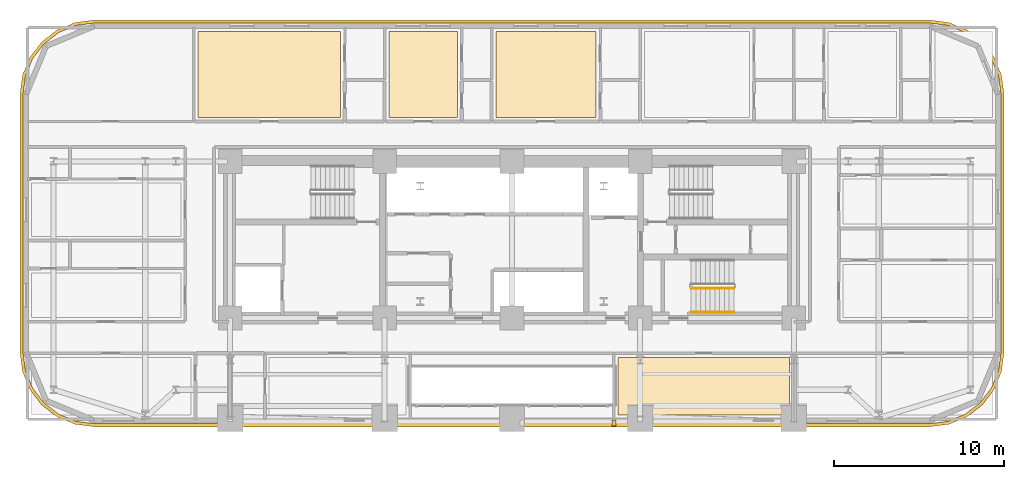
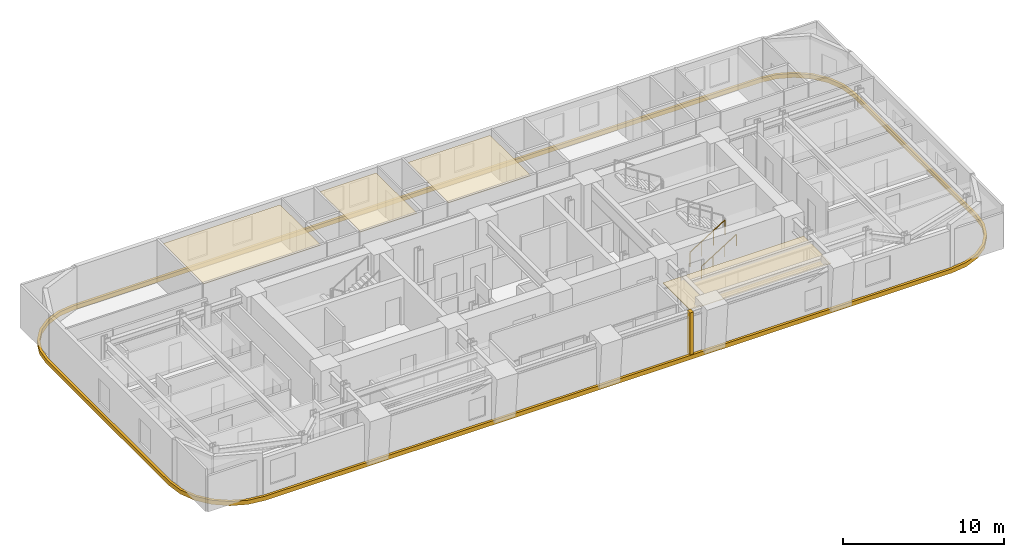
# One storey, part 15 of 16: 6 coverings, 2 railings.
"""IFC4 building model written with IfcOpenShell, lengths in metres."""

from ifc_helpers import new_model, si_unit, direction, frame, origin, origin_2d, place, context, subcontext, project, spatial, polyline, rectangle, outline, extrude, material, layer, layer_set, type_object, element, save


model = new_model("IFC4")

# Units and contexts
model_context = context("Model", 3, precision=1e-05, world=origin(), true_north=direction((0.0, 1.0)))
body_context = subcontext(model_context, "Body", "Model", "MODEL_VIEW")
ifc_project = project(units=[si_unit("LENGTHUNIT", "METRE"), si_unit("AREAUNIT", "SQUARE_METRE"), si_unit("VOLUMEUNIT", "CUBIC_METRE"), si_unit("PLANEANGLEUNIT", "RADIAN"), si_unit("MASSUNIT", "GRAM", prefix="KILO")], contexts=[model_context])

# Site, building, storey
site_placement = place(None, origin())
site = spatial("IfcSite", under=ifc_project, at=site_placement, CompositionType="ELEMENT")
building_placement = place(site_placement, origin())
building = spatial("IfcBuilding", under=site, at=building_placement, Name="Zarnavel Station Tower", CompositionType="ELEMENT")
storey_placement = place(building_placement, frame((0.0, 0.0, 46.5)))
storey = spatial("IfcBuildingStorey", under=building, at=storey_placement, Name="L12", CompositionType="ELEMENT", Elevation=46.5)

# Coverings
ifc_material_1 = material(Name="Perforated Gypsum and Mineral-Wool Acoustic Ceiling", Category="concrete")
ifc_layer = layer(ifc_material_1, 0.0400390625)
ifc_layer_set = layer_set([ifc_layer], Name="COV_CEIL_ACOUSTIC")
covering_type_1 = type_object("IfcCoveringType", Name="COV_CEIL_ACOUSTIC", PredefinedType="CEILING", material=ifc_layer_set)
covering_1_placement = place(storey_placement, frame((0.0, 0.0, 2.919921875)))
element("IfcCovering", 1, at=covering_1_placement, inside=storey, type_object=covering_type_1, Name="L12 HN1R Acoustic Ceiling", PredefinedType="CEILING", context=body_context, shape_type="SweptSolid", body=[
    extrude(outline(polyline([(10.31005859375, 39.64990234375), (18.699951171875, 39.64990234375), (18.699951171875, 44.68994140625), (10.31005859375, 44.68994140625), (10.31005859375, 39.64990234375)])), origin(), (0.0, 0.0, 1.0), 0.0400390625),
])
covering_2_placement = place(storey_placement, frame((0.0, 0.0, 2.919921875)))
element("IfcCovering", 2, at=covering_2_placement, inside=storey, type_object=covering_type_1, Name="L12 HN2R Acoustic Ceiling", PredefinedType="CEILING", context=body_context, shape_type="SweptSolid", body=[
    extrude(outline(polyline([(21.550048828125, 39.64990234375), (25.589111328125, 39.64990234375), (25.589111328125, 44.68994140625), (21.550048828125, 44.68994140625), (21.550048828125, 39.64990234375)])), origin(), (0.0, 0.0, 1.0), 0.0400390625),
])
covering_3_placement = place(storey_placement, frame((0.0, 0.0, 2.919921875)))
element("IfcCovering", 3, at=covering_3_placement, inside=storey, type_object=covering_type_1, Name="L12 HN3R Acoustic Ceiling", PredefinedType="CEILING", context=body_context, shape_type="SweptSolid", body=[
    extrude(outline(polyline([(27.85400390625, 39.64990234375), (33.75, 39.64990234375), (33.75, 44.68994140625), (27.85400390625, 44.68994140625), (27.85400390625, 39.64990234375)])), origin(), (0.0, 0.0, 1.0), 0.0400390625),
])
covering_4_placement = place(storey_placement, frame((0.0, 0.0, 2.919921875)))
element("IfcCovering", 4, at=covering_4_placement, inside=storey, type_object=covering_type_1, Name="L12 Z1CNF Acoustic Ceiling", PredefinedType="CEILING", context=body_context, shape_type="SweptSolid", body=[
    extrude(outline(polyline([(35.050048828125, 22.110107421875), (45.14990234375, 22.110107421875), (45.14990234375, 25.5), (35.050048828125, 25.5), (35.050048828125, 22.110107421875)])), origin(), (0.0, 0.0, 1.0), 0.0400390625),
])
ifc_material_2 = material(Name="Precast concrete C45/55 (Pale Travertine Slab Band)", Category="masonry")
covering_type_2 = type_object("IfcCoveringType", Name="COV_TRAVERTINE_BAND", PredefinedType="CLADDING", material=ifc_material_2)
covering_5_placement = place(storey_placement, frame((0.0, 0.0, -0.260009765625)))
element("IfcCovering", 5, at=covering_5_placement, inside=storey, type_object=covering_type_2, Name="L12 Pale Travertine Slab-Edge Band", PredefinedType="CLADDING", context=body_context, shape_type="SweptSolid", body=[
    extrude(outline(polyline([(53.39990234375, 21.419921875), (54.53369140625, 21.569091796875), (55.590087890625, 22.0068359375), (56.4970703125, 22.702880859375), (57.193115234375, 23.610107421875), (57.630859375, 24.66650390625), (57.780029296875, 25.800048828125), (57.780029296875, 41.0), (57.630859375, 42.133544921875), (57.193115234375, 43.18994140625), (56.4970703125, 44.09716796875), (55.590087890625, 44.793212890625), (54.53369140625, 45.230712890625), (53.39990234375, 45.3798828125), (4.199951171875, 45.3798828125), (3.06640625, 45.230712890625), (2.010009765625, 44.793212890625), (1.102783203125, 44.09716796875), (0.40673828125, 43.18994140625), (-0.03076171875, 42.133544921875), (-0.179931640625, 41.0), (-0.179931640625, 25.800048828125), (-0.03076171875, 24.66650390625), (0.40673828125, 23.610107421875), (1.102783203125, 22.702880859375), (2.010009765625, 22.0068359375), (3.06640625, 21.569091796875), (4.199951171875, 21.419921875), (53.39990234375, 21.419921875)]), holes=[polyline([(53.39990234375, 21.60009765625), (54.487060546875, 21.7431640625), (55.5, 22.16259765625), (56.369873046875, 22.830078125), (57.037353515625, 23.699951171875), (57.456787109375, 24.712890625), (57.60009765625, 25.800048828125), (57.60009765625, 41.0), (57.456787109375, 42.0869140625), (57.037353515625, 43.10009765625), (56.369873046875, 43.9697265625), (55.5, 44.63720703125), (54.487060546875, 45.056884765625), (53.39990234375, 45.199951171875), (4.199951171875, 45.199951171875), (3.113037109375, 45.056884765625), (2.10009765625, 44.63720703125), (1.230224609375, 43.9697265625), (0.562744140625, 43.10009765625), (0.14306640625, 42.0869140625), (0.0, 41.0), (0.0, 25.800048828125), (0.14306640625, 24.712890625), (0.562744140625, 23.699951171875), (1.230224609375, 22.830078125), (2.10009765625, 22.16259765625), (3.113037109375, 21.7431640625), (4.199951171875, 21.60009765625), (53.39990234375, 21.60009765625)])]), origin(), (0.0, 0.0, 1.0), 0.320068359375),
])
covering_6_placement = place(storey_placement, frame((34.800048828125, 21.64990234375, 0.0), z_axis=(0.0, 0.0, 1.0), x_axis=(1.0, 0.0, 0.0)))
element("IfcCovering", 6, at=covering_6_placement, inside=storey, type_object=covering_type_2, Name="L12 Travertine Portal Loggia Vertical Jog East", PredefinedType="CLADDING", context=body_context, shape_type="SweptSolid", body=[
    extrude(rectangle(XDim=0.239990234375, YDim=0.360107421875, at=origin_2d()), origin(), (0.0, 0.0, 1.0), 3.239990234375),
])

# Railings
ifc_material_3 = material(Name="Painted Steel S355J2 Balustrade", Category="steel")
railing_type_1 = type_object("IfcRailingType", Name="GR_INT_1150", PredefinedType="GUARDRAIL", material=ifc_material_3)
railing_1_placement = place(storey_placement, frame((39.35009765625, 29.570068359375, 0.175048828125)))
element("IfcRailing", 7, at=railing_1_placement, inside=storey, type_object=railing_type_1, Name="L12 ST3 stair guard 1", PredefinedType="GUARDRAIL", context=body_context, shape_type="SweptSolid", body=[
    extrude(rectangle(XDim=0.048095703125, YDim=0.048095703125, at=origin_2d()), frame((0.001708984375, 0.0, 1.126953125), z_axis=(0.848007534815, 0.0, 0.529984170421), x_axis=(0.0, 1.0, 0.0)), (0.0, 0.0, 1.0), 2.9677734375),
    extrude(rectangle(XDim=0.0419921875, YDim=0.0419921875, at=origin_2d()), origin(), (0.0, 0.0, 1.0), 1.101806640625),
    extrude(rectangle(XDim=0.0419921875, YDim=0.0419921875, at=origin_2d()), frame((0.840087890625, 0.0, 0.52490234375)), (0.0, 0.0, 1.0), 1.101806640625),
    extrude(rectangle(XDim=0.0419921875, YDim=0.0419921875, at=origin_2d()), frame((1.679931640625, 0.0, 1.050048828125)), (0.0, 0.0, 1.0), 1.101806640625),
    extrude(rectangle(XDim=0.0419921875, YDim=0.0419921875, at=origin_2d()), frame((2.52001953125, 0.0, 1.574951171875)), (0.0, 0.0, 1.0), 1.101806640625),
])
ifc_material_4 = material(Name="Brushed Stainless Steel S355J2 Handrail", Category="steel")
railing_type_2 = type_object("IfcRailingType", Name="HR_STAIR_900", PredefinedType="HANDRAIL", material=ifc_material_4)
railing_2_placement = place(storey_placement, frame((39.35009765625, 28.169921875, 0.175048828125)))
element("IfcRailing", 8, at=railing_2_placement, inside=storey, type_object=railing_type_2, Name="L12 ST3 stair handrail 1", PredefinedType="HANDRAIL", context=body_context, shape_type="SweptSolid", body=[
    extrude(rectangle(XDim=0.048095703125, YDim=0.048095703125, at=origin_2d()), frame((0.001708984375, 0.0, 0.876953125), z_axis=(0.848007534815, 0.0, 0.529984170421), x_axis=(0.0, 1.0, 0.0)), (0.0, 0.0, 1.0), 2.9677734375),
    extrude(rectangle(XDim=0.0419921875, YDim=0.0419921875, at=origin_2d()), origin(), (0.0, 0.0, 1.0), 0.851806640625),
    extrude(rectangle(XDim=0.0419921875, YDim=0.0419921875, at=origin_2d()), frame((0.840087890625, 0.0, 0.52490234375)), (0.0, 0.0, 1.0), 0.851806640625),
    extrude(rectangle(XDim=0.0419921875, YDim=0.0419921875, at=origin_2d()), frame((1.679931640625, 0.0, 1.050048828125)), (0.0, 0.0, 1.0), 0.851806640625),
    extrude(rectangle(XDim=0.0419921875, YDim=0.0419921875, at=origin_2d()), frame((2.52001953125, 0.0, 1.574951171875)), (0.0, 0.0, 1.0), 0.851806640625),
])

save(model, "model.ifc")
